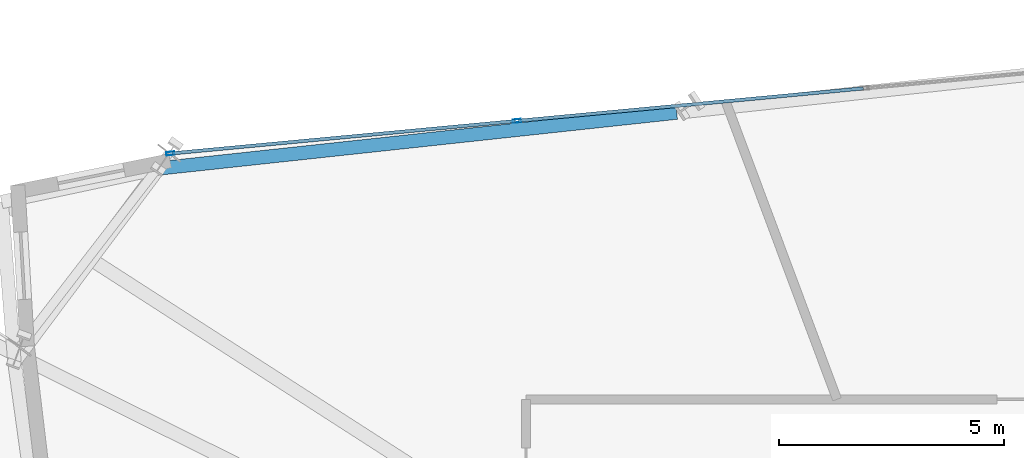
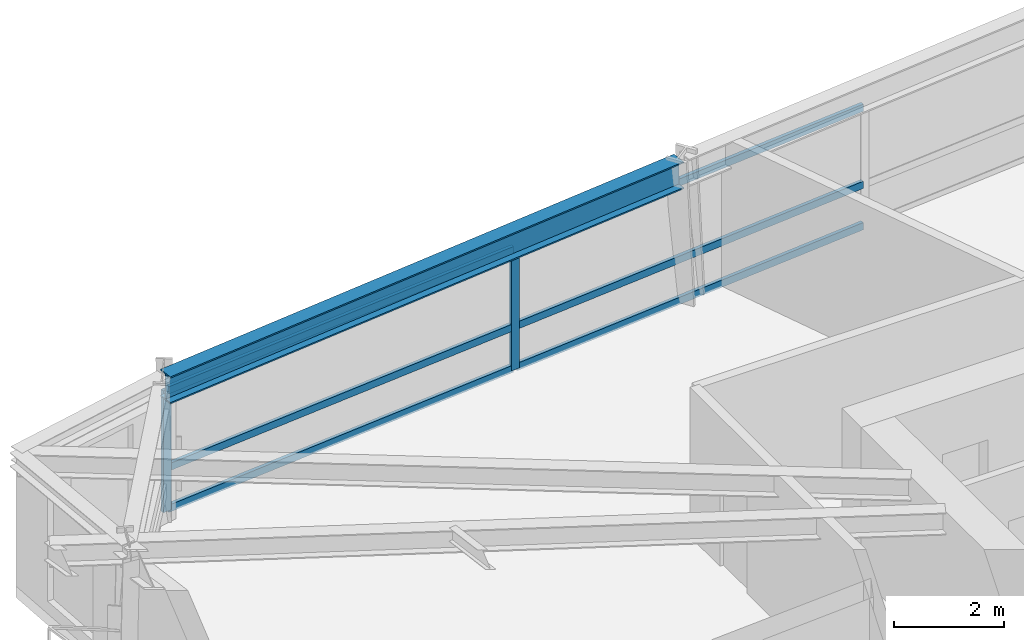
# One storey, part 6 of 17: 8 members, 1 beam, 1 element without a shape of its own.
"""IFC4 building model written with IfcOpenShell, lengths in metres."""

from ifc_helpers import new_model, si_unit, direction, frame, origin, origin_2d, place, context, subcontext, project, spatial, hollow_rectangle, i_section, extrude, source, transform, mapped, material, material_profile, profile_set, type_object, element, aggregate, save


model = new_model("IFC4")

# Units and contexts
model_context = context("Model", 3, precision=1e-05, world=origin(), true_north=direction((0.0, 1.0)))
body_context = subcontext(model_context, "Body", "Model", "MODEL_VIEW")
ifc_project = project(units=[si_unit("LENGTHUNIT", "METRE"), si_unit("AREAUNIT", "SQUARE_METRE"), si_unit("VOLUMEUNIT", "CUBIC_METRE"), si_unit("PLANEANGLEUNIT", "RADIAN"), si_unit("MASSUNIT", "GRAM", prefix="KILO")], contexts=[model_context])

# Site, building, storey
site_placement = place(None, origin())
site = spatial("IfcSite", under=ifc_project, at=site_placement, CompositionType="ELEMENT")
building_placement = place(site_placement, origin())
building = spatial("IfcBuilding", under=site, at=building_placement, Name="Olszyna Solenne Hotel", CompositionType="ELEMENT")
storey_placement = place(building_placement, frame((0.0, 0.0, 116.35009765625)))
storey = spatial("IfcBuildingStorey", under=building, at=storey_placement, Name="L30", CompositionType="ELEMENT", Elevation=116.35009765625)

# Beam
ifc_material_1 = material(Name="Steel S355J2", Category="steel")
ifc_material_profile_1 = material_profile(ifc_material_1, i_section(OverallWidth=0.300048828125, OverallDepth=0.60009765625, WebThickness=0.015380859375, FlangeThickness=0.030029296875, at=origin_2d()), Name="HEB 600", Category="load-bearing")
ifc_profile_set_1 = profile_set([ifc_material_profile_1], Name="Steel S355J2")
beam_type = type_object("IfcBeamType", Name="BM-S2", PredefinedType="BEAM", material=ifc_profile_set_1)
shared_shape_1 = source(origin(), body_context, "Body", "SweptSolid", [
    extrude(i_section(OverallWidth=0.300048828125, OverallDepth=0.60009765625, WebThickness=0.015380859375, FlangeThickness=0.030029296875, at=origin_2d()), origin(), (0.0, 0.0, 1.0), 11.509765625),
])
beam_placement = place(storey_placement, frame((30.79443359375, 42.71630859375, 3.0), z_axis=(-0.994232504231, -0.107246107301, 0.0), x_axis=(0.107246107301, -0.994232504231, 0.0)))
element("IfcBeam", 1, at=beam_placement, inside=storey, type_object=beam_type, Name="Perimeter spandrel beam BM-S2 B-L30-0901", PredefinedType="BEAM", context=body_context, shape_type="MappedRepresentation", body=[
    mapped(shared_shape_1, transform((0.0, 0.0, 0.0), x_axis=(1.0, 0.0, 0.0), y_axis=(0.0, 1.0, 0.0), z_axis=(0.0, 0.0, 1.0), scale=1.0)),
])

# Curtain wall, members
ifc_material_2 = material(Name="Anodised bronze aluminium", Category="aluminium")
curtain_wall_type = type_object("IfcCurtainWallType", Name="CW-SYS-3", PredefinedType="NOTDEFINED", material=ifc_material_2)
curtain_wall_placement = place(storey_placement, origin())
curtain_wall = element("IfcCurtainWall", 2, at=curtain_wall_placement, inside=storey, type_object=curtain_wall_type, Name="Unitised curtain wall CW-SYS-3 CW-L30-02", PredefinedType="NOTDEFINED")
ifc_material_profile_2 = material_profile(ifc_material_2, hollow_rectangle(XDim=0.074951171875, YDim=0.179931640625, WallThickness=0.00439453125, at=origin_2d()), Name="MULL 180x75x4.5", Category="load-bearing")
ifc_profile_set_2 = profile_set([ifc_material_profile_2], Name="Anodised bronze aluminium")
member_type_1 = type_object("IfcMemberType", Name="CW-M2", PredefinedType="MULLION", material=ifc_profile_set_2)
shared_shape_2 = source(origin(), body_context, "Body", "SweptSolid", [
    extrude(hollow_rectangle(XDim=0.074951171875, YDim=0.179931640625, WallThickness=0.00439453125, at=origin_2d()), origin(), (0.0, 0.0, 1.0), 2.69189453125),
])
member_1_placement = place(storey_placement, frame((19.552734375, 41.8076171875, 0.0), z_axis=(0.0, 0.0, 1.0), x_axis=(-0.093582375447, 0.995611540213, 0.0)))
member_1 = element("IfcMember", 3, at=member_1_placement, type_object=member_type_1, Name="Curtain-wall mullion CW-M2 CM-L30-02-01", PredefinedType="MULLION", context=body_context, shape_type="MappedRepresentation", body=[
    mapped(shared_shape_2, transform((0.0, 0.0, 0.0), x_axis=(1.0, 0.0, 0.0), y_axis=(0.0, 1.0, 0.0), z_axis=(0.0, 0.0, 1.0), scale=1.0)),
])
member_2_placement = place(storey_placement, frame((27.244873046875, 42.53076171875, 0.0), z_axis=(0.0, 0.0, 1.0), x_axis=(-0.093582375447, 0.995611540213, 0.0)))
member_2 = element("IfcMember", 4, at=member_2_placement, type_object=member_type_1, Name="Curtain-wall mullion CW-M2 CM-L30-02-02", PredefinedType="MULLION", context=body_context, shape_type="MappedRepresentation", body=[
    mapped(shared_shape_2, transform((0.0, 0.0, 0.0), x_axis=(1.0, 0.0, 0.0), y_axis=(0.0, 1.0, 0.0), z_axis=(0.0, 0.0, 1.0), scale=1.0)),
])
ifc_material_profile_3 = material_profile(ifc_material_2, hollow_rectangle(XDim=0.074951171875, YDim=0.159912109375, WallThickness=0.00390625, at=origin_2d()), Name="TRAN 160x75x4", Category="load-bearing")
ifc_profile_set_3 = profile_set([ifc_material_profile_3], Name="Anodised bronze aluminium")
member_type_2 = type_object("IfcMemberType", Name="CW-T1", PredefinedType="USERDEFINED", material=ifc_profile_set_3)
shared_shape_3 = source(origin(), body_context, "Body", "SweptSolid", [
    extrude(hollow_rectangle(XDim=0.074951171875, YDim=0.159912109375, WallThickness=0.00390625, at=origin_2d()), origin(), (0.0, 0.0, 1.0), 7.651123046875),
])
member_3_placement = place(storey_placement, frame((19.590087890625, 41.811279296875, 0.037353515625), z_axis=(0.995610748987, 0.09359079282, 0.0), x_axis=(-0.09359079282, 0.995610748987, 0.0)))
member_3 = element("IfcMember", 5, at=member_3_placement, type_object=member_type_2, Name="Curtain-wall transom CW-T1 CT-L30-02-01", ObjectType="TRANSOM", PredefinedType="USERDEFINED", context=body_context, shape_type="MappedRepresentation", body=[
    mapped(shared_shape_3, transform((0.0, 0.0, 0.0), x_axis=(1.0, 0.0, 0.0), y_axis=(0.0, 1.0, 0.0), z_axis=(0.0, 0.0, 1.0), scale=1.0)),
])
member_4_placement = place(storey_placement, frame((19.590087890625, 41.811279296875, 0.949951171875), z_axis=(0.995610748987, 0.09359079282, 0.0), x_axis=(-0.09359079282, 0.995610748987, 0.0)))
member_4 = element("IfcMember", 6, at=member_4_placement, type_object=member_type_2, Name="Curtain-wall transom CW-T1 CT-L30-02-02", ObjectType="TRANSOM", PredefinedType="USERDEFINED", context=body_context, shape_type="MappedRepresentation", body=[
    mapped(shared_shape_3, transform((0.0, 0.0, 0.0), x_axis=(1.0, 0.0, 0.0), y_axis=(0.0, 1.0, 0.0), z_axis=(0.0, 0.0, 1.0), scale=1.0)),
])
member_5_placement = place(storey_placement, frame((19.590087890625, 41.811279296875, 2.654296875), z_axis=(0.995610748987, 0.09359079282, 0.0), x_axis=(-0.09359079282, 0.995610748987, 0.0)))
member_5 = element("IfcMember", 7, at=member_5_placement, type_object=member_type_2, Name="Curtain-wall transom CW-T1 CT-L30-02-03", ObjectType="TRANSOM", PredefinedType="USERDEFINED", context=body_context, shape_type="MappedRepresentation", body=[
    mapped(shared_shape_3, transform((0.0, 0.0, 0.0), x_axis=(1.0, 0.0, 0.0), y_axis=(0.0, 1.0, 0.0), z_axis=(0.0, 0.0, 1.0), scale=1.0)),
])
shared_shape_4 = source(origin(), body_context, "Body", "SweptSolid", [
    extrude(hollow_rectangle(XDim=0.074951171875, YDim=0.159912109375, WallThickness=0.00390625, at=origin_2d()), origin(), (0.0, 0.0, 1.0), 7.6884765625),
])
member_6_placement = place(storey_placement, frame((27.2822265625, 42.5341796875, 0.037353515625), z_axis=(0.995611880725, 0.093578752711, 0.0), x_axis=(-0.093578752711, 0.995611880725, 0.0)))
member_6 = element("IfcMember", 8, at=member_6_placement, type_object=member_type_2, Name="Curtain-wall transom CW-T1 CT-L30-02-04", ObjectType="TRANSOM", PredefinedType="USERDEFINED", context=body_context, shape_type="MappedRepresentation", body=[
    mapped(shared_shape_4, transform((0.0, 0.0, 0.0), x_axis=(1.0, 0.0, 0.0), y_axis=(0.0, 1.0, 0.0), z_axis=(0.0, 0.0, 1.0), scale=1.0)),
])
member_7_placement = place(storey_placement, frame((27.2822265625, 42.5341796875, 0.949951171875), z_axis=(0.995611880725, 0.093578752711, 0.0), x_axis=(-0.093578752711, 0.995611880725, 0.0)))
member_7 = element("IfcMember", 9, at=member_7_placement, type_object=member_type_2, Name="Curtain-wall transom CW-T1 CT-L30-02-05", ObjectType="TRANSOM", PredefinedType="USERDEFINED", context=body_context, shape_type="MappedRepresentation", body=[
    mapped(shared_shape_4, transform((0.0, 0.0, 0.0), x_axis=(1.0, 0.0, 0.0), y_axis=(0.0, 1.0, 0.0), z_axis=(0.0, 0.0, 1.0), scale=1.0)),
])
member_8_placement = place(storey_placement, frame((27.2822265625, 42.5341796875, 2.654296875), z_axis=(0.995611880725, 0.093578752711, 0.0), x_axis=(-0.093578752711, 0.995611880725, 0.0)))
member_8 = element("IfcMember", 10, at=member_8_placement, type_object=member_type_2, Name="Curtain-wall transom CW-T1 CT-L30-02-06", ObjectType="TRANSOM", PredefinedType="USERDEFINED", context=body_context, shape_type="MappedRepresentation", body=[
    mapped(shared_shape_4, transform((0.0, 0.0, 0.0), x_axis=(1.0, 0.0, 0.0), y_axis=(0.0, 1.0, 0.0), z_axis=(0.0, 0.0, 1.0), scale=1.0)),
])
aggregate(curtain_wall, [member_1, member_2, member_3, member_4, member_5, member_6, member_7, member_8])

save(model, "model.ifc")
